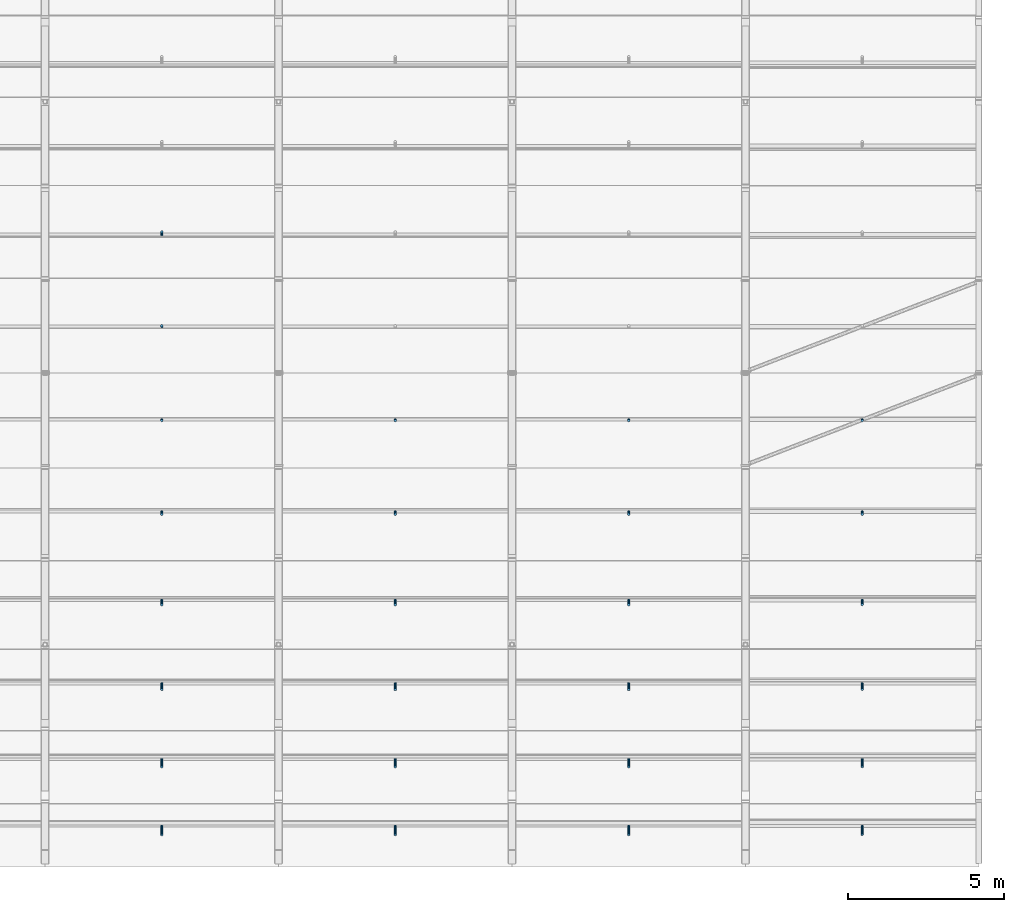
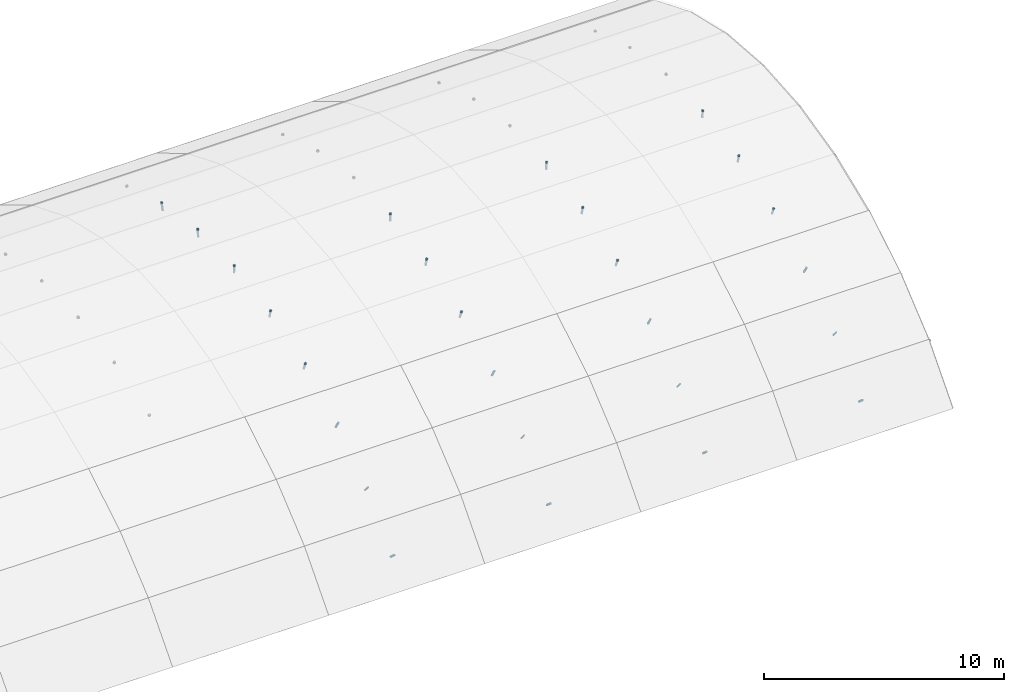
# One storey, part 68 of 77: 26 discrete accessories.
"""IFC4 building model written with IfcOpenShell, lengths in metres."""

from ifc_helpers import new_model, si_unit, direction, frame, origin, origin_2d, place, context, subcontext, project, spatial, circle, extrude, material, type_object, element, save


model = new_model("IFC4")

# Units and contexts
model_context = context("Model", 3, precision=1e-05, world=origin(), true_north=direction((0.0, 1.0)))
body_context = subcontext(model_context, "Body", "Model", "MODEL_VIEW")
ifc_project = project(units=[si_unit("LENGTHUNIT", "METRE"), si_unit("AREAUNIT", "SQUARE_METRE"), si_unit("VOLUMEUNIT", "CUBIC_METRE"), si_unit("PLANEANGLEUNIT", "RADIAN"), si_unit("MASSUNIT", "GRAM", prefix="KILO")], contexts=[model_context])

# Site, building, storey
site_placement = place(None, origin())
site = spatial("IfcSite", under=ifc_project, at=site_placement, CompositionType="ELEMENT")
building_placement = place(site_placement, origin())
building = spatial("IfcBuilding", under=site, at=building_placement, Name="Yukiwa Park Conservatory and Herbarium", CompositionType="ELEMENT")
storey_placement = place(building_placement, frame((0.0, 0.0, 13.199951171875)))
storey = spatial("IfcBuildingStorey", under=building, at=storey_placement, Name="L03", CompositionType="ELEMENT", Elevation=13.199951171875)

# Discrete accessories
ifc_material = material(Name="Steel Q355D", Category="steel")
discrete_accessory_type = type_object("IfcDiscreteAccessoryType", Name="ACC-SPIDER-BRACKET", PredefinedType="BRACKET", material=ifc_material)
for number, where, z_axis, x_axis, name in (
    (1, (33.75, 1.056640625, -3.12451171875), (0.0, -0.751108746031, 0.660178499828), (1.0, 0.0, 0.0), "Conservatory glazing spider bracket 5.1"),
    (2, (33.75, 3.196533203125, -1.0380859375), (0.0, -0.640735457836, 0.767761729361), (1.0, 0.0, 0.0), "Conservatory glazing spider bracket 5.2"),
    (3, (33.75, 5.632080078125, 0.694091796875), (0.0, -0.514404169355, 0.857547870705), (1.0, 0.0, 0.0), "Conservatory glazing spider bracket 5.3"),
    (4, (33.75, 8.305419921875, 2.03076171875), (0.0, -0.376644212225, 0.926357996348), (1.0, 0.0, 0.0), "Conservatory glazing spider bracket 5.4"),
    (5, (33.75, 11.152587890625, 2.93994140625), (0.0, -0.229768108787, 0.973245403886), (1.0, 0.0, 0.0), "Conservatory glazing spider bracket 5.5"),
    (6, (33.75, 14.105712890625, 3.400146484375), (0.0, -0.077220326377, 0.997014052656), (1.0, 0.0, 0.0), "Conservatory glazing spider bracket 5.6"),
    (7, (33.75, 17.094482421875, 3.400146484375), (0.0, 0.077220326377, 0.997014052656), (-1.0, 0.0, 0.0), "Conservatory glazing spider bracket 5.7"),
    (8, (33.75, 20.047607421875, 2.93994140625), (0.0, 0.229178177761, 0.973384488698), (-1.0, 0.0, 0.0), "Conservatory glazing spider bracket 5.8"),
    (9, (41.25, 1.056640625, -3.12451171875), (0.0, -0.751108746031, 0.660178499828), (1.0, 0.0, 0.0), "Conservatory glazing spider bracket 6.1"),
    (10, (41.25, 3.196533203125, -1.0380859375), (0.0, -0.640735457836, 0.767761729361), (1.0, 0.0, 0.0), "Conservatory glazing spider bracket 6.2"),
    (11, (41.25, 5.632080078125, 0.694091796875), (0.0, -0.514404169355, 0.857547870705), (1.0, 0.0, 0.0), "Conservatory glazing spider bracket 6.3"),
    (12, (41.25, 8.305419921875, 2.03076171875), (0.0, -0.376644212225, 0.926357996348), (1.0, 0.0, 0.0), "Conservatory glazing spider bracket 6.4"),
    (13, (41.25, 11.152587890625, 2.93994140625), (0.0, -0.229768108787, 0.973245403886), (1.0, 0.0, 0.0), "Conservatory glazing spider bracket 6.5"),
    (14, (41.25, 14.105712890625, 3.400146484375), (0.0, -0.077220326377, 0.997014052656), (1.0, 0.0, 0.0), "Conservatory glazing spider bracket 6.6"),
    (15, (48.75, 1.056640625, -3.12451171875), (0.0, -0.751108746031, 0.660178499828), (1.0, 0.0, 0.0), "Conservatory glazing spider bracket 7.1"),
    (16, (48.75, 3.196533203125, -1.0380859375), (0.0, -0.640735457836, 0.767761729361), (1.0, 0.0, 0.0), "Conservatory glazing spider bracket 7.2"),
    (17, (48.75, 5.632080078125, 0.694091796875), (0.0, -0.514404169355, 0.857547870705), (1.0, 0.0, 0.0), "Conservatory glazing spider bracket 7.3"),
    (18, (48.75, 8.305419921875, 2.03076171875), (0.0, -0.376644212225, 0.926357996348), (1.0, 0.0, 0.0), "Conservatory glazing spider bracket 7.4"),
    (19, (48.75, 11.152587890625, 2.93994140625), (0.0, -0.229768108787, 0.973245403886), (1.0, 0.0, 0.0), "Conservatory glazing spider bracket 7.5"),
    (20, (48.75, 14.105712890625, 3.400146484375), (0.0, -0.077220326377, 0.997014052656), (1.0, 0.0, 0.0), "Conservatory glazing spider bracket 7.6"),
):
    element("IfcDiscreteAccessory", number, at=place(storey_placement, frame(where, z_axis=z_axis, x_axis=x_axis)), inside=storey, type_object=discrete_accessory_type, Name=name, PredefinedType="BRACKET", context=body_context, shape_type="SweptSolid", body=[
        extrude(circle(Radius=0.0400390625, at=origin_2d()), origin(), (0.0, 0.0, 1.0), 0.39208984375),
    ])
discrete_accessory_1_placement = place(storey_placement, frame((56.25, 1.056640625, -3.12451171875), z_axis=(0.0, -0.751308874164, 0.659950737254), x_axis=(1.0, 0.0, 0.0)))
element("IfcDiscreteAccessory", 21, at=discrete_accessory_1_placement, inside=storey, type_object=discrete_accessory_type, Name="Conservatory glazing spider bracket 8.1", PredefinedType="BRACKET", context=body_context, shape_type="SweptSolid", body=[
    extrude(circle(Radius=0.0400390625, at=origin_2d()), origin(), (0.0, 0.0, 1.0), 0.382080078125),
])
discrete_accessory_2_placement = place(storey_placement, frame((56.25, 3.196533203125, -1.0380859375), z_axis=(0.0, -0.640686901787, 0.767802249201), x_axis=(1.0, 0.0, 0.0)))
element("IfcDiscreteAccessory", 22, at=discrete_accessory_2_placement, inside=storey, type_object=discrete_accessory_type, Name="Conservatory glazing spider bracket 8.2", PredefinedType="BRACKET", context=body_context, shape_type="SweptSolid", body=[
    extrude(circle(Radius=0.0400390625, at=origin_2d()), origin(), (0.0, 0.0, 1.0), 0.38232421875),
])
for number, where, z_axis, x_axis, name in (
    (23, (56.25, 5.632080078125, 0.694091796875), (0.0, -0.514401780511, 0.85754930366), (1.0, 0.0, 0.0), "Conservatory glazing spider bracket 8.3"),
    (24, (56.25, 8.305419921875, 2.03076171875), (0.0, -0.376891026254, 0.926257606894), (1.0, 0.0, 0.0), "Conservatory glazing spider bracket 8.4"),
    (25, (56.25, 11.152587890625, 2.93994140625), (0.0, -0.230036457189, 0.97318201194), (1.0, 0.0, 0.0), "Conservatory glazing spider bracket 8.5"),
    (26, (56.25, 14.105712890625, 3.400146484375), (0.0, -0.077331829898, 0.997005410258), (1.0, 0.0, 0.0), "Conservatory glazing spider bracket 8.6"),
):
    element("IfcDiscreteAccessory", number, at=place(storey_placement, frame(where, z_axis=z_axis, x_axis=x_axis)), inside=storey, type_object=discrete_accessory_type, Name=name, PredefinedType="BRACKET", context=body_context, shape_type="SweptSolid", body=[
        extrude(circle(Radius=0.0400390625, at=origin_2d()), origin(), (0.0, 0.0, 1.0), 0.382080078125),
    ])

save(model, "model.ifc")
